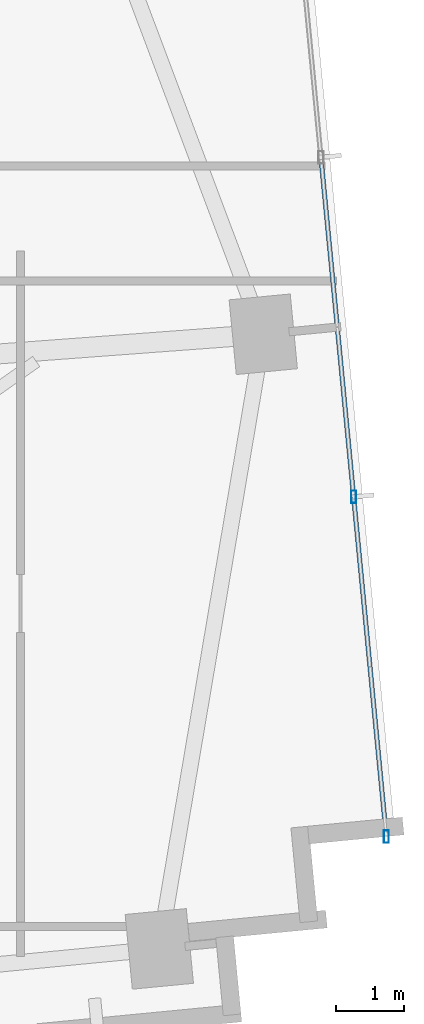
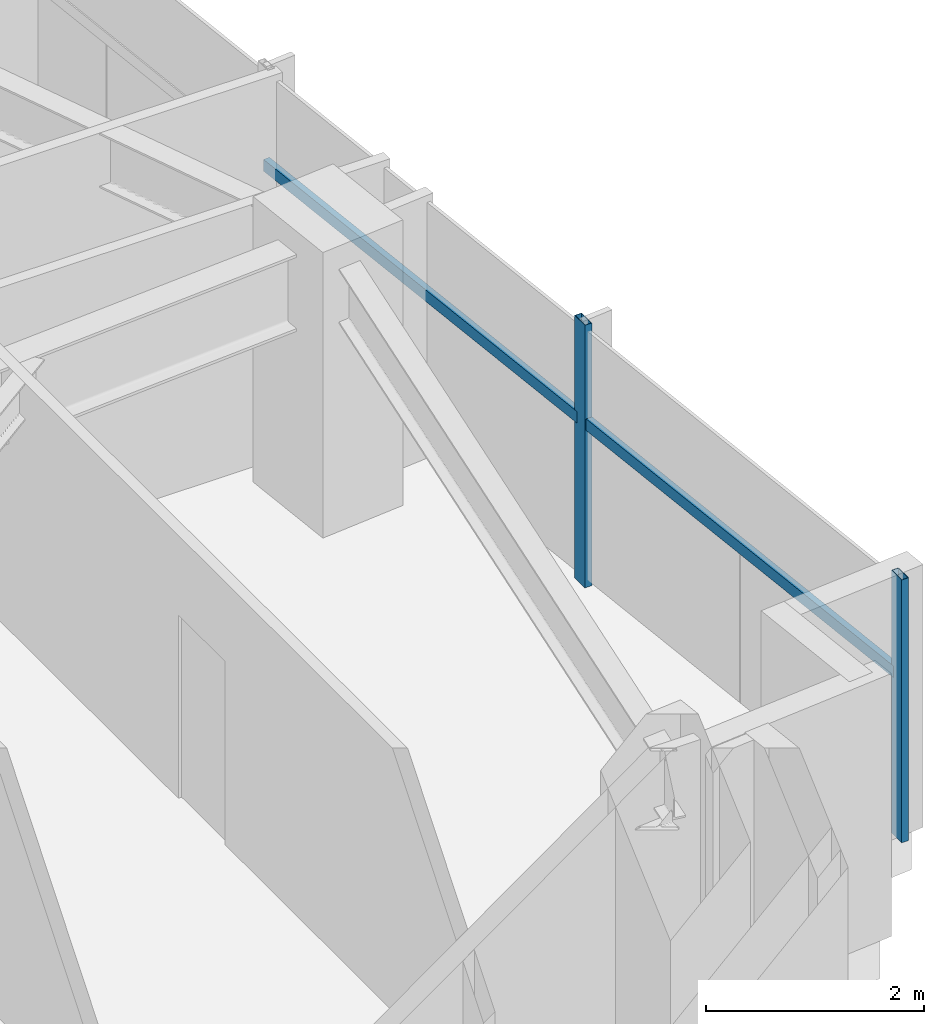
# One storey, part 14 of 25: 4 members, 1 element without a shape of its own.
"""IFC4 building model written with IfcOpenShell, lengths in metres."""

from ifc_helpers import new_model, si_unit, direction, frame, origin, origin_2d, place, context, subcontext, project, spatial, hollow_rectangle, extrude, source, transform, mapped, material, material_profile, profile_set, type_object, type_shapes, element, aggregate, save


model = new_model("IFC4")

# Units and contexts
model_context = context("Model", 3, precision=1e-05, world=origin(), true_north=direction((0.0, 1.0)))
body_context = subcontext(model_context, "Body", "Model", "MODEL_VIEW")
ifc_project = project(units=[si_unit("LENGTHUNIT", "METRE"), si_unit("AREAUNIT", "SQUARE_METRE"), si_unit("VOLUMEUNIT", "CUBIC_METRE"), si_unit("PLANEANGLEUNIT", "RADIAN"), si_unit("MASSUNIT", "GRAM", prefix="KILO")], contexts=[model_context])

# Site, building, storey
site_placement = place(None, origin())
site = spatial("IfcSite", under=ifc_project, at=site_placement, CompositionType="ELEMENT")
building_placement = place(site_placement, origin())
building = spatial("IfcBuilding", under=site, at=building_placement, Name="Astriad Promenade Condominiums", CompositionType="ELEMENT")
storey_placement = place(building_placement, frame((0.0, 0.0, 77.800048828125)))
storey = spatial("IfcBuildingStorey", under=building, at=storey_placement, Name="L21", CompositionType="ELEMENT", Elevation=77.800048828125)

# Curtain wall, members
ifc_material_1 = material(Name="Anodised aluminium Black Dark Glass Unitised", Category="aluminium")
curtain_wall_type = type_object("IfcCurtainWallType", Name="CW-B2-DARK", PredefinedType="USERDEFINED", material=ifc_material_1)
curtain_wall_placement = place(storey_placement, origin())
curtain_wall = element("IfcCurtainWall", 1, at=curtain_wall_placement, inside=storey, type_object=curtain_wall_type, Name="CW-L21-E", ObjectType="UNITISED_CURTAIN_WALL", PredefinedType="USERDEFINED")
ifc_material_2 = material(Name="Anodised aluminium 6063-T6 Black", Category="aluminium")
ifc_material_profile_1 = material_profile(ifc_material_2, hollow_rectangle(XDim=0.074951171875, YDim=0.18505859375, WallThickness=0.00439453125, at=origin_2d()), Name="ALU-MUL-75X185")
ifc_profile_set_1 = profile_set([ifc_material_profile_1], Name="Anodised aluminium 6063-T6 Black")
member_type_1 = type_object("IfcMemberType", Name="MUL-ALU-MUL-75X185", PredefinedType="MULLION", material=ifc_profile_set_1)
shared_shape_1 = source(origin(), body_context, "Body", "SweptSolid", [
    extrude(hollow_rectangle(XDim=0.074951171875, YDim=0.18505859375, WallThickness=0.00439453125, at=origin_2d()), origin(), (0.0, 0.0, 1.0), 2.93994140625),
])
type_shapes(member_type_1, [shared_shape_1])
member_1_placement = place(storey_placement, frame((68.972900390625, 16.6552734375, 0.0), z_axis=(0.0, 0.0, 1.0), x_axis=(1.0, 0.0, 0.0)))
member_1 = element("IfcMember", 2, at=member_1_placement, type_object=member_type_1, Name="CW-L21-E-MUL-02", PredefinedType="MULLION", context=body_context, shape_type="MappedRepresentation", body=[
    mapped(shared_shape_1, transform((0.0, 0.0, 0.0), scale=1.0)),
])
member_2_placement = place(storey_placement, frame((69.4521484375, 11.67822265625, 0.0), z_axis=(0.0, 0.0, 1.0), x_axis=(1.0, 0.0, 0.0)))
member_2 = element("IfcMember", 3, at=member_2_placement, type_object=member_type_1, Name="CW-L21-E-MUL-03", PredefinedType="MULLION", context=body_context, shape_type="MappedRepresentation", body=[
    mapped(shared_shape_1, transform((0.0, 0.0, 0.0), scale=1.0)),
])
ifc_material_profile_2 = material_profile(ifc_material_2, hollow_rectangle(XDim=0.06494140625, YDim=0.1298828125, WallThickness=0.00390625, at=origin_2d()), Name="ALU-TRN-65X130")
ifc_profile_set_2 = profile_set([ifc_material_profile_2], Name="Anodised aluminium 6063-T6 Black")
member_type_2 = type_object("IfcMemberType", Name="TRN-ALU-TRN-65X130", PredefinedType="USERDEFINED", material=ifc_profile_set_2)
shared_shape_2 = source(origin(), body_context, "Body", "SweptSolid", [
    extrude(hollow_rectangle(XDim=0.06494140625, YDim=0.1298828125, WallThickness=0.00390625, at=origin_2d()), origin(), (0.0, 0.0, 1.0), 5.0),
])
member_3_placement = place(storey_placement, frame((68.972900390625, 16.6552734375, 1.82275390625), z_axis=(0.095848242264, -0.995395958629, 0.0), x_axis=(0.995395958629, 0.095848242264, 0.0)))
member_3 = element("IfcMember", 4, at=member_3_placement, type_object=member_type_2, Name="CW-L21-E-TRN-02-0", ObjectType="TRANSOM", PredefinedType="USERDEFINED", context=body_context, shape_type="MappedRepresentation", body=[
    mapped(shared_shape_2, transform((0.0, 0.0, 0.0), scale=1.0)),
])
shared_shape_3 = source(origin(), body_context, "Body", "SweptSolid", [
    extrude(hollow_rectangle(XDim=0.06494140625, YDim=0.1298828125, WallThickness=0.00390625, at=origin_2d()), origin(), (0.0, 0.0, 1.0), 4.999755859375),
])
type_shapes(member_type_2, [shared_shape_2, shared_shape_3])
member_4_placement = place(storey_placement, frame((68.493896484375, 21.632080078125, 1.82275390625), z_axis=(0.095804519461, -0.995400167797, 0.0), x_axis=(0.995400167797, 0.095804519461, 0.0)))
member_4 = element("IfcMember", 5, at=member_4_placement, type_object=member_type_2, Name="CW-L21-E-TRN-01-0", ObjectType="TRANSOM", PredefinedType="USERDEFINED", context=body_context, shape_type="MappedRepresentation", body=[
    mapped(shared_shape_3, transform((0.0, 0.0, 0.0), scale=1.0)),
])
aggregate(curtain_wall, [member_1, member_2, member_4, member_3])

save(model, "model.ifc")
